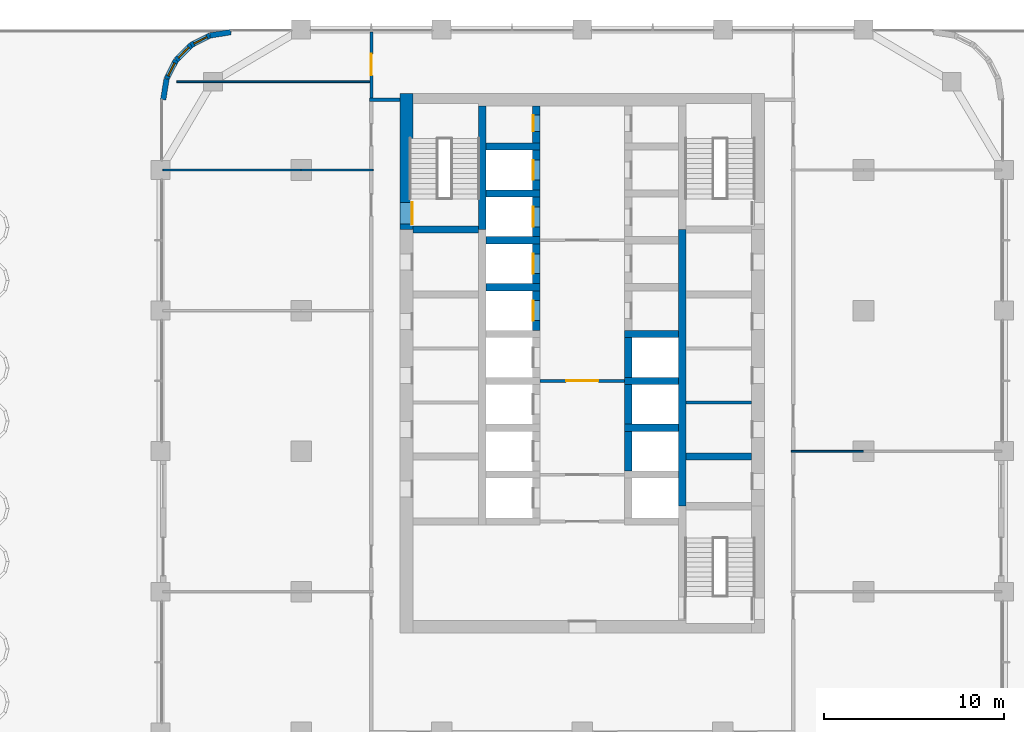
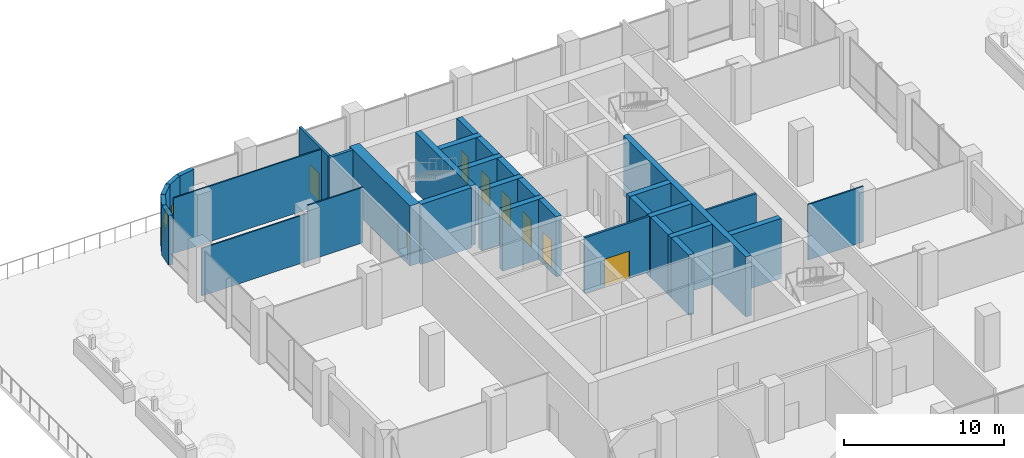
# One storey, part 14 of 31: 33 walls, 8 doors, 3 windows, 11 openings.
"""IFC4 building model written with IfcOpenShell, lengths in metres."""

from ifc_helpers import new_model, si_unit, direction, frame, frame_2d, origin, place, context, subcontext, project, spatial, rectangle, extrude, material, layer, layer_set, type_object, element, fill, save


model = new_model("IFC4")

# Units and contexts
model_context = context("Model", 3, precision=1e-05, world=origin(), true_north=direction((0.0, 1.0)))
body_context = subcontext(model_context, "Body", "Model", "MODEL_VIEW")
ifc_project = project(units=[si_unit("LENGTHUNIT", "METRE"), si_unit("AREAUNIT", "SQUARE_METRE"), si_unit("VOLUMEUNIT", "CUBIC_METRE"), si_unit("PLANEANGLEUNIT", "RADIAN"), si_unit("MASSUNIT", "GRAM", prefix="KILO")], contexts=[model_context])

# Site, building, storey
site_placement = place(None, origin())
site = spatial("IfcSite", under=ifc_project, at=site_placement, CompositionType="ELEMENT")
building_placement = place(site_placement, origin())
building = spatial("IfcBuilding", under=site, at=building_placement, Name="Ludao Terraces", CompositionType="ELEMENT")
storey_placement = place(building_placement, frame((0.0, 0.0, 15.0)))
storey = spatial("IfcBuildingStorey", under=building, at=storey_placement, Name="L03", CompositionType="ELEMENT", Elevation=15.0)

# Wall, opening, door
ifc_material_1 = material(Name="Concrete C70", Category="concrete")
ifc_layer_1 = layer(ifc_material_1, 0.699951171875)
ifc_layer_set_1 = layer_set([ifc_layer_1], Name="Core wall 700 C70")
wall_type_1 = type_object("IfcWallType", Name="Core wall 700 C70", PredefinedType="SOLIDWALL", material=ifc_layer_set_1)
wall_1_placement = place(storey_placement, frame((75.25, 77.300048828125, -0.35009765625), z_axis=(0.0, 0.0, 1.0), x_axis=(0.0, 1.0, 0.0)))
wall_1 = element("IfcWall", 1, at=wall_1_placement, inside=storey, type_object=wall_type_1, Name="Core wall L03 outer-W-S1", PredefinedType="SOLIDWALL", context=body_context, shape_type="SweptSolid", body=[
    extrude(rectangle(XDim=7.550048828125, YDim=0.699951171875, at=frame_2d((3.77490234375, 0.0))), origin(), (0.0, 0.0, 1.0), 4.60009765625),
])
opening_1_placement = place(wall_1_placement, frame((0.300048828125, 0.0, 0.35009765625)))
opening_1 = element("IfcOpeningElement", 2, at=opening_1_placement, cuts=wall_1, Name="Opening A1-036", PredefinedType="OPENING", context=body_context, shape_type="SweptSolid", body=[
    extrude(rectangle(XDim=1.199951171875, YDim=2.10009765625, at=frame_2d((0.60009765625, 1.050048828125))), frame((0.0, 0.35986328125, 0.0), z_axis=(0.0, -1.0, 0.0), x_axis=(1.0, 0.0, 0.0)), (0.0, 0.0, 1.0), 0.719970703125),
])
ifc_material_2 = material(Name="Steel Q235", Category="steel")
door_type_1 = type_object("IfcDoorType", Name="INT Stair door 1200", OperationType="DOUBLE_DOOR_SINGLE_SWING", PredefinedType="DOOR", material=ifc_material_2)
door_1_placement = place(opening_1_placement, origin())
door_1 = element("IfcDoor", 3, at=door_1_placement, inside=storey, type_object=door_type_1, Name="DOOR 036", OperationType="DOUBLE_DOOR_SINGLE_SWING", OverallHeight=2.10009765625, OverallWidth=1.199951171875, PredefinedType="DOOR", context=body_context, shape_type="SweptSolid", body=[
    extrude(rectangle(XDim=1.199951171875, YDim=2.10009765625, at=frame_2d((0.60009765625, 1.050048828125))), frame((0.0, -0.28515625, 0.0), z_axis=(0.0, -1.0, 0.0), x_axis=(1.0, 0.0, 0.0)), (0.0, 0.0, 1.0), 0.050048828125),
])
fill(opening_1, door_1)

# Wall
ifc_material_3 = material(Name="Granite cladding", Category="masonry")
ifc_layer_2 = layer(ifc_material_3, 0.0400390625, Category="stone")
ifc_material_4 = material(Name="Mineral wool")
ifc_layer_3 = layer(ifc_material_4, 0.06005859375)
ifc_material_5 = material(Name="Concrete C40", Category="concrete")
ifc_layer_4 = layer(ifc_material_5, 0.199951171875, Category="concrete")
ifc_layer_set_2 = layer_set([ifc_layer_2, ifc_layer_3, ifc_layer_4], Name="ENV Stone-clad wall 300")
wall_type_2 = type_object("IfcWallType", Name="ENV Stone-clad wall 300", PredefinedType="SOLIDWALL", material=ifc_layer_set_2)
wall_2_placement = place(storey_placement, frame((65.5, 88.25, 0.0), z_axis=(0.0, 0.0, 1.0), x_axis=(-0.987678452879, -0.156496880861, 0.0)))
element("IfcWall", 4, at=wall_2_placement, inside=storey, type_object=wall_type_2, Name="EW-L03-NW1", PredefinedType="SOLIDWALL", context=body_context, shape_type="SweptSolid", body=[
    extrude(rectangle(XDim=1.173095703125, YDim=0.300048828125, at=frame_2d((0.58642578125, 0.0))), origin(), (0.0, 0.0, 1.0), 3.800048828125),
])

# Wall, opening, window
wall_3_placement = place(storey_placement, frame((64.34130859375, 88.06640625, 0.0), z_axis=(0.0, 0.0, 1.0), x_axis=(-0.890988677504, -0.454025524128, 0.0)))
wall_3 = element("IfcWall", 5, at=wall_3_placement, inside=storey, type_object=wall_type_2, Name="EW-L03-NW2", PredefinedType="SOLIDWALL", context=body_context, shape_type="SweptSolid", body=[
    extrude(rectangle(XDim=1.17333984375, YDim=0.300048828125, at=frame_2d((0.586669921875, 0.0))), origin(), (0.0, 0.0, 1.0), 3.800048828125),
])
opening_2_placement = place(wall_3_placement, frame((0.1865234375, 0.0, 0.89990234375)))
opening_2 = element("IfcOpeningElement", 6, at=opening_2_placement, cuts=wall_3, Name="Opening W3", PredefinedType="OPENING", context=body_context, shape_type="SweptSolid", body=[
    extrude(rectangle(XDim=0.800048828125, YDim=1.199951171875, at=frame_2d((0.39990234375, 0.60009765625))), frame((0.0, 0.16015625, 0.0), z_axis=(0.0, -1.0, 0.0), x_axis=(1.0, 0.0, 0.0)), (0.0, 0.0, 1.0), 0.320068359375),
])
ifc_material_6 = material(Name="Clear glass in aluminium frame", Category="aluminium")
ifc_layer_5 = layer(ifc_material_6, 0.06005859375)
ifc_layer_set_3 = layer_set([ifc_layer_5], Name="ENV Window W3 800x1200")
window_type = type_object("IfcWindowType", Name="ENV Window W3 800x1200", PartitioningType="SINGLE_PANEL", PredefinedType="WINDOW", material=ifc_layer_set_3)
window_1_placement = place(opening_2_placement, origin())
window_1 = element("IfcWindow", 7, at=window_1_placement, inside=storey, type_object=window_type, Name="W-L03-NW2", OverallHeight=1.199951171875, OverallWidth=0.800048828125, PartitioningType="SINGLE_PANEL", PredefinedType="WINDOW", context=body_context, shape_type="SweptSolid", body=[
    extrude(rectangle(XDim=0.800048828125, YDim=1.199951171875, at=frame_2d((0.39990234375, 0.60009765625))), frame((0.0, 0.030029296875, 0.0), z_axis=(0.0, -1.0, 0.0), x_axis=(1.0, 0.0, 0.0)), (0.0, 0.0, 1.0), 0.06005859375),
])
fill(opening_2, window_1)

wall_4_placement = place(storey_placement, frame((63.2958984375, 87.53369140625, 0.0), z_axis=(0.0, 0.0, 1.0), x_axis=(-0.707106781187, -0.707106781187, 0.0)))
wall_4 = element("IfcWall", 8, at=wall_4_placement, inside=storey, type_object=wall_type_2, Name="EW-L03-NW3", PredefinedType="SOLIDWALL", context=body_context, shape_type="SweptSolid", body=[
    extrude(rectangle(XDim=1.173095703125, YDim=0.300048828125, at=frame_2d((0.58642578125, 0.0))), origin(), (0.0, 0.0, 1.0), 3.800048828125),
])
opening_3_placement = place(wall_4_placement, frame((0.1865234375, 0.0, 0.89990234375)))
opening_3 = element("IfcOpeningElement", 9, at=opening_3_placement, cuts=wall_4, Name="Opening W3", PredefinedType="OPENING", context=body_context, shape_type="SweptSolid", body=[
    extrude(rectangle(XDim=0.800048828125, YDim=1.199951171875, at=frame_2d((0.39990234375, 0.60009765625))), frame((0.0, 0.16015625, 0.0), z_axis=(0.0, -1.0, 0.0), x_axis=(1.0, 0.0, 0.0)), (0.0, 0.0, 1.0), 0.320068359375),
])
window_2_placement = place(opening_3_placement, origin())
window_2 = element("IfcWindow", 10, at=window_2_placement, inside=storey, type_object=window_type, Name="W-L03-NW3", OverallHeight=1.199951171875, OverallWidth=0.800048828125, PartitioningType="SINGLE_PANEL", PredefinedType="WINDOW", context=body_context, shape_type="SweptSolid", body=[
    extrude(rectangle(XDim=0.800048828125, YDim=1.199951171875, at=frame_2d((0.39990234375, 0.60009765625))), frame((0.0, 0.030029296875, 0.0), z_axis=(0.0, -1.0, 0.0), x_axis=(1.0, 0.0, 0.0)), (0.0, 0.0, 1.0), 0.06005859375),
])
fill(opening_3, window_2)

wall_5_placement = place(storey_placement, frame((62.46630859375, 86.7041015625, 0.0), z_axis=(0.0, 0.0, 1.0), x_axis=(-0.454025524128, -0.890988677504, 0.0)))
wall_5 = element("IfcWall", 11, at=wall_5_placement, inside=storey, type_object=wall_type_2, Name="EW-L03-NW4", PredefinedType="SOLIDWALL", context=body_context, shape_type="SweptSolid", body=[
    extrude(rectangle(XDim=1.17333984375, YDim=0.300048828125, at=frame_2d((0.586669921875, 0.0))), origin(), (0.0, 0.0, 1.0), 3.800048828125),
])
opening_4_placement = place(wall_5_placement, frame((0.1865234375, 0.0, 0.89990234375)))
opening_4 = element("IfcOpeningElement", 12, at=opening_4_placement, cuts=wall_5, Name="Opening W3", PredefinedType="OPENING", context=body_context, shape_type="SweptSolid", body=[
    extrude(rectangle(XDim=0.800048828125, YDim=1.199951171875, at=frame_2d((0.39990234375, 0.60009765625))), frame((0.0, 0.16015625, 0.0), z_axis=(0.0, -1.0, 0.0), x_axis=(1.0, 0.0, 0.0)), (0.0, 0.0, 1.0), 0.320068359375),
])
window_3_placement = place(opening_4_placement, origin())
window_3 = element("IfcWindow", 13, at=window_3_placement, inside=storey, type_object=window_type, Name="W-L03-NW4", OverallHeight=1.199951171875, OverallWidth=0.800048828125, PartitioningType="SINGLE_PANEL", PredefinedType="WINDOW", context=body_context, shape_type="SweptSolid", body=[
    extrude(rectangle(XDim=0.800048828125, YDim=1.199951171875, at=frame_2d((0.39990234375, 0.60009765625))), frame((0.0, 0.030029296875, 0.0), z_axis=(0.0, -1.0, 0.0), x_axis=(1.0, 0.0, 0.0)), (0.0, 0.0, 1.0), 0.06005859375),
])
fill(opening_4, window_3)

# Walls
wall_6_placement = place(storey_placement, frame((61.93359375, 85.65869140625, 0.0), z_axis=(0.0, 0.0, 1.0), x_axis=(-0.156496880861, -0.987678452879, 0.0)))
element("IfcWall", 14, at=wall_6_placement, inside=storey, type_object=wall_type_2, Name="EW-L03-NW5", PredefinedType="SOLIDWALL", context=body_context, shape_type="SweptSolid", body=[
    extrude(rectangle(XDim=1.173095703125, YDim=0.300048828125, at=frame_2d((0.58642578125, 0.0))), origin(), (0.0, 0.0, 1.0), 3.800048828125),
])
ifc_material_7 = material(Name="Fire-rated gypsum plasterboard", Category="gypsum")
ifc_layer_6 = layer(ifc_material_7, 0.012451171875, Category="gypsum")
ifc_layer_7 = layer(ifc_material_4, 0.10009765625, Name="insulation")
ifc_layer_8 = layer(ifc_material_2, 0.02490234375, Name="stud")
ifc_layer_9 = layer(ifc_material_7, 0.012451171875, Category="gypsum")
ifc_layer_set_4 = layer_set([ifc_layer_6, ifc_layer_7, ifc_layer_8, ifc_layer_9], Name="INT Core partition 150")
wall_type_3 = type_object("IfcWallType", Name="INT Core partition 150", PredefinedType="PARTITIONING", material=ifc_layer_set_4)
wall_7_placement = place(storey_placement, frame((90.75, 67.699951171875, 0.0), z_axis=(0.0, 0.0, 1.0), x_axis=(1.0, 0.0, 0.0)))
element("IfcWall", 15, at=wall_7_placement, inside=storey, type_object=wall_type_3, Name="PW-L03-PW007", PredefinedType="PARTITIONING", context=body_context, shape_type="SweptSolid", body=[
    extrude(rectangle(XDim=3.650146484375, YDim=0.14990234375, at=frame_2d((1.8251953125, 0.0))), origin(), (0.0, 0.0, 1.0), 4.25),
])

# Wall, opening, door
wall_8_placement = place(storey_placement, frame((82.650146484375, 68.89990234375, 0.0), z_axis=(0.0, 0.0, 1.0), x_axis=(1.0, 0.0, 0.0)))
wall_8 = element("IfcWall", 16, at=wall_8_placement, inside=storey, type_object=wall_type_3, Name="PW-L03-PW008", PredefinedType="PARTITIONING", context=body_context, shape_type="SweptSolid", body=[
    extrude(rectangle(XDim=4.699951171875, YDim=0.14990234375, at=frame_2d((2.35009765625, 0.0))), origin(), (0.0, 0.0, 1.0), 4.25),
])
opening_5_placement = place(wall_8_placement, frame((1.449951171875, 0.0, 0.0)))
opening_5 = element("IfcOpeningElement", 17, at=opening_5_placement, cuts=wall_8, Name="Opening A1-021", PredefinedType="OPENING", context=body_context, shape_type="SweptSolid", body=[
    extrude(rectangle(XDim=1.800048828125, YDim=2.10009765625, at=frame_2d((0.89990234375, 1.050048828125))), frame((0.0, 0.0849609375, 0.0), z_axis=(0.0, -1.0, 0.0), x_axis=(1.0, 0.0, 0.0)), (0.0, 0.0, 1.0), 0.169921875),
])
door_type_2 = type_object("IfcDoorType", Name="INT Fire lobby door 1800", OperationType="DOUBLE_DOOR_SINGLE_SWING", PredefinedType="DOOR", material=ifc_material_2)
door_2_placement = place(opening_5_placement, origin())
door_2 = element("IfcDoor", 18, at=door_2_placement, inside=storey, type_object=door_type_2, Name="DOOR 021", OperationType="DOUBLE_DOOR_SINGLE_SWING", OverallHeight=2.10009765625, OverallWidth=1.800048828125, PredefinedType="DOOR", context=body_context, shape_type="SweptSolid", body=[
    extrude(rectangle(XDim=1.800048828125, YDim=2.10009765625, at=frame_2d((0.89990234375, 1.050048828125))), frame((0.0, 0.02490234375, 0.0), z_axis=(0.0, -1.0, 0.0), x_axis=(1.0, 0.0, 0.0)), (0.0, 0.0, 1.0), 0.050048828125),
])
fill(opening_5, door_2)

# Walls
ifc_material_8 = material(Name="Autoclaved aerated concrete block B06 A3.5", Category="concrete")
ifc_layer_10 = layer(ifc_material_8, 0.199951171875)
ifc_layer_set_5 = layer_set([ifc_layer_10], Name="INT Entrance wall 200")
wall_type_4 = type_object("IfcWallType", Name="INT Entrance wall 200", PredefinedType="PARTITIONING", material=ifc_layer_set_5)
wall_9_placement = place(storey_placement, frame((73.2001953125, 84.5, 0.0), z_axis=(0.0, 0.0, 1.0), x_axis=(1.0, 0.0, 0.0)))
element("IfcWall", 19, at=wall_9_placement, inside=storey, type_object=wall_type_4, Name="PW-L03-PW015", PredefinedType="PARTITIONING", context=body_context, shape_type="SweptSolid", body=[
    extrude(rectangle(XDim=1.699951171875, YDim=0.199951171875, at=frame_2d((0.85009765625, 0.0))), origin(), (0.0, 0.0, 1.0), 4.25),
])
ifc_material_9 = material(Name="Gypsum plasterboard", Category="gypsum")
ifc_layer_11 = layer(ifc_material_9, 0.012451171875, Category="gypsum")
ifc_layer_12 = layer(ifc_material_4, 0.06005859375, Name="insulation")
ifc_layer_13 = layer(ifc_material_2, 0.014892578125, Name="stud")
ifc_layer_14 = layer(ifc_material_9, 0.012451171875, Category="gypsum")
ifc_layer_set_6 = layer_set([ifc_layer_11, ifc_layer_12, ifc_layer_13, ifc_layer_14], Name="INT Partition 100")
wall_type_5 = type_object("IfcWallType", Name="INT Partition 100", PredefinedType="PARTITIONING", material=ifc_layer_set_6)
wall_10_placement = place(storey_placement, frame((96.60009765625, 65.0, 0.0), z_axis=(0.0, 0.0, 1.0), x_axis=(1.0, 0.0, 0.0)))
element("IfcWall", 20, at=wall_10_placement, inside=storey, type_object=wall_type_5, Name="PW-L03-PW005", PredefinedType="PARTITIONING", context=body_context, shape_type="SweptSolid", body=[
    extrude(rectangle(XDim=4.0, YDim=0.10009765625, at=frame_2d((2.0, 0.0))), origin(), (0.0, 0.0, 1.0), 4.25),
])
wall_11_placement = place(storey_placement, frame((61.735107421875, 80.60009765625, 0.0), z_axis=(0.0, 0.0, 1.0), x_axis=(1.0, 0.0, 0.0)))
element("IfcWall", 21, at=wall_11_placement, inside=storey, type_object=wall_type_5, Name="PW-L03-PW013", PredefinedType="PARTITIONING", context=body_context, shape_type="SweptSolid", body=[
    extrude(rectangle(XDim=7.664794921875, YDim=0.10009765625, at=frame_2d((3.83251953125, 0.0))), origin(), (0.0, 0.0, 1.0), 3.64990234375),
])
wall_12_placement = place(storey_placement, frame((69.39990234375, 80.60009765625, 0.0), z_axis=(0.0, 0.0, 1.0), x_axis=(1.0, 0.0, 0.0)))
element("IfcWall", 22, at=wall_12_placement, inside=storey, type_object=wall_type_5, Name="PW-L03-PW013-2", PredefinedType="PARTITIONING", context=body_context, shape_type="SweptSolid", body=[
    extrude(rectangle(XDim=4.000244140625, YDim=0.10009765625, at=frame_2d((2.0, 0.0))), origin(), (0.0, 0.0, 1.0), 4.25),
])
wall_13_placement = place(storey_placement, frame((62.510009765625, 85.5, 0.0), z_axis=(0.0, 0.0, 1.0), x_axis=(1.0, 0.0, 0.0)))
element("IfcWall", 23, at=wall_13_placement, inside=storey, type_object=wall_type_5, Name="PW-L03-PW017", PredefinedType="PARTITIONING", context=body_context, shape_type="SweptSolid", body=[
    extrude(rectangle(XDim=10.864990234375, YDim=0.10009765625, at=frame_2d((5.4326171875, 0.0))), origin(), (0.0, 0.0, 1.0), 4.25),
])

# Wall, opening, door
ifc_layer_15 = layer(ifc_material_8, 0.14990234375)
ifc_layer_set_7 = layer_set([ifc_layer_15], Name="INT Party wall 150")
wall_type_6 = type_object("IfcWallType", Name="INT Party wall 150", PredefinedType="PARTITIONING", material=ifc_layer_set_7)
wall_14_placement = place(storey_placement, frame((73.300048828125, 84.60009765625, 0.0), z_axis=(0.0, 0.0, 1.0), x_axis=(0.0, 1.0, 0.0)))
wall_14 = element("IfcWall", 24, at=wall_14_placement, inside=storey, type_object=wall_type_6, Name="PW-L03-PW020", PredefinedType="PARTITIONING", context=body_context, shape_type="SweptSolid", body=[
    extrude(rectangle(XDim=3.664794921875, YDim=0.14990234375, at=frame_2d((1.83251953125, 0.0))), origin(), (0.0, 0.0, 1.0), 4.25),
])
opening_6_placement = place(wall_14_placement, frame((1.25, 0.0, 0.0)))
opening_6 = element("IfcOpeningElement", 25, at=opening_6_placement, cuts=wall_14, Name="Opening A1-045", PredefinedType="OPENING", context=body_context, shape_type="SweptSolid", body=[
    extrude(rectangle(XDim=1.199951171875, YDim=2.10009765625, at=frame_2d((0.60009765625, 1.050048828125))), frame((0.0, 0.0849609375, 0.0), z_axis=(0.0, -1.0, 0.0), x_axis=(1.0, 0.0, 0.0)), (0.0, 0.0, 1.0), 0.169921875),
])
ifc_material_10 = material(Name="Timber door leaf", Category="wood")
door_type_3 = type_object("IfcDoorType", Name="INT Double door 1200", OperationType="DOUBLE_DOOR_SINGLE_SWING", PredefinedType="DOOR", material=ifc_material_10)
door_3_placement = place(opening_6_placement, origin())
door_3 = element("IfcDoor", 26, at=door_3_placement, inside=storey, type_object=door_type_3, Name="DOOR 045", OperationType="DOUBLE_DOOR_SINGLE_SWING", OverallHeight=2.10009765625, OverallWidth=1.199951171875, PredefinedType="DOOR", context=body_context, shape_type="SweptSolid", body=[
    extrude(rectangle(XDim=1.199951171875, YDim=2.10009765625, at=frame_2d((0.60009765625, 1.050048828125))), frame((0.0, 0.02490234375, 0.0), z_axis=(0.0, -1.0, 0.0), x_axis=(1.0, 0.0, 0.0)), (0.0, 0.0, 1.0), 0.050048828125),
])
fill(opening_6, door_3)

# Walls
ifc_material_11 = material(Name="Concrete C60", Category="concrete")
ifc_layer_16 = layer(ifc_material_11, 0.39990234375)
ifc_layer_set_8 = layer_set([ifc_layer_16], Name="Shaft wall 400 C60")
wall_type_7 = type_object("IfcWallType", Name="Shaft wall 400 C60", PredefinedType="SOLIDWALL", material=ifc_layer_set_8)
wall_15_placement = place(storey_placement, frame((79.449951171875, 77.300048828125, -0.35009765625), z_axis=(0.0, 0.0, 1.0), x_axis=(0.0, 1.0, 0.0)))
element("IfcWall", 27, at=wall_15_placement, inside=storey, type_object=wall_type_7, Name="Core wall L03 back-W-S1", PredefinedType="SOLIDWALL", context=body_context, shape_type="SweptSolid", body=[
    extrude(rectangle(XDim=6.849853515625, YDim=0.39990234375, at=frame_2d((3.4248046875, 0.0))), origin(), (0.0, 0.0, 1.0), 4.60009765625),
])
wall_16_placement = place(storey_placement, frame((90.550048828125, 61.949951171875, -0.35009765625), z_axis=(0.0, 0.0, 1.0), x_axis=(0.0, 1.0, 0.0)))
element("IfcWall", 28, at=wall_16_placement, inside=storey, type_object=wall_type_7, Name="Core wall L03 back-E", PredefinedType="SOLIDWALL", context=body_context, shape_type="SweptSolid", body=[
    extrude(rectangle(XDim=15.35009765625, YDim=0.39990234375, at=frame_2d((7.675048828125, 0.0))), origin(), (0.0, 0.0, 1.0), 4.60009765625),
])

# Wall, opening, door
wall_17_placement = place(storey_placement, frame((82.449951171875, 71.699951171875, -0.35009765625), z_axis=(0.0, 0.0, 1.0), x_axis=(0.0, 1.0, 0.0)))
wall_17 = element("IfcWall", 29, at=wall_17_placement, inside=storey, type_object=wall_type_7, Name="Core wall L03 front-W5", PredefinedType="SOLIDWALL", context=body_context, shape_type="SweptSolid", body=[
    extrude(rectangle(XDim=2.199951171875, YDim=0.39990234375, at=frame_2d((1.10009765625, 0.0))), origin(), (0.0, 0.0, 1.0), 4.60009765625),
])
opening_7_placement = place(wall_17_placement, frame((0.550048828125, 0.0, 0.35009765625)))
opening_7 = element("IfcOpeningElement", 30, at=opening_7_placement, cuts=wall_17, Name="Opening LD-LA5", PredefinedType="OPENING", context=body_context, shape_type="SweptSolid", body=[
    extrude(rectangle(XDim=1.10009765625, YDim=2.10009765625, at=frame_2d((0.550048828125, 1.050048828125))), frame((0.0, 0.2099609375, 0.0), z_axis=(0.0, -1.0, 0.0), x_axis=(1.0, 0.0, 0.0)), (0.0, 0.0, 1.0), 0.419921875),
])
ifc_material_12 = material(Name="Stainless steel 304", Category="steel")
door_type_4 = type_object("IfcDoorType", Name="INT Lift landing door 1100", OperationType="SLIDING_TO_LEFT", PredefinedType="DOOR", material=ifc_material_12)
door_4_placement = place(opening_7_placement, origin())
door_4 = element("IfcDoor", 31, at=door_4_placement, inside=storey, type_object=door_type_4, Name="LANDING DOOR LA5 L03", OperationType="SLIDING_TO_LEFT", OverallHeight=2.10009765625, OverallWidth=1.10009765625, PredefinedType="DOOR", context=body_context, shape_type="SweptSolid", body=[
    extrude(rectangle(XDim=1.10009765625, YDim=2.10009765625, at=frame_2d((0.550048828125, 1.050048828125))), frame((0.0, 0.18505859375, 0.0), z_axis=(0.0, -1.0, 0.0), x_axis=(1.0, 0.0, 0.0)), (0.0, 0.0, 1.0), 0.050048828125),
])
fill(opening_7, door_4)

# Wall
wall_18_placement = place(storey_placement, frame((79.64990234375, 74.10009765625, -0.35009765625), z_axis=(0.0, 0.0, 1.0), x_axis=(1.0, 0.0, 0.0)))
element("IfcWall", 32, at=wall_18_placement, inside=storey, type_object=wall_type_7, Name="Core wall L03 div-W6", PredefinedType="SOLIDWALL", context=body_context, shape_type="SweptSolid", body=[
    extrude(rectangle(XDim=3.0, YDim=0.39990234375, at=frame_2d((1.5, 0.0))), origin(), (0.0, 0.0, 1.0), 4.60009765625),
])

# Wall, opening, door
wall_19_placement = place(storey_placement, frame((82.449951171875, 74.300048828125, -0.35009765625), z_axis=(0.0, 0.0, 1.0), x_axis=(0.0, 1.0, 0.0)))
wall_19 = element("IfcWall", 33, at=wall_19_placement, inside=storey, type_object=wall_type_7, Name="Core wall L03 front-W6", PredefinedType="SOLIDWALL", context=body_context, shape_type="SweptSolid", body=[
    extrude(rectangle(XDim=2.199951171875, YDim=0.39990234375, at=frame_2d((1.10009765625, 0.0))), origin(), (0.0, 0.0, 1.0), 4.60009765625),
])
opening_8_placement = place(wall_19_placement, frame((0.550048828125, 0.0, 0.35009765625)))
opening_8 = element("IfcOpeningElement", 34, at=opening_8_placement, cuts=wall_19, Name="Opening LD-LA6", PredefinedType="OPENING", context=body_context, shape_type="SweptSolid", body=[
    extrude(rectangle(XDim=1.10009765625, YDim=2.10009765625, at=frame_2d((0.550048828125, 1.050048828125))), frame((0.0, 0.2099609375, 0.0), z_axis=(0.0, -1.0, 0.0), x_axis=(1.0, 0.0, 0.0)), (0.0, 0.0, 1.0), 0.419921875),
])
door_5_placement = place(opening_8_placement, origin())
door_5 = element("IfcDoor", 35, at=door_5_placement, inside=storey, type_object=door_type_4, Name="LANDING DOOR LA6 L03", OperationType="SLIDING_TO_LEFT", OverallHeight=2.10009765625, OverallWidth=1.10009765625, PredefinedType="DOOR", context=body_context, shape_type="SweptSolid", body=[
    extrude(rectangle(XDim=1.10009765625, YDim=2.10009765625, at=frame_2d((0.550048828125, 1.050048828125))), frame((0.0, 0.18505859375, 0.0), z_axis=(0.0, -1.0, 0.0), x_axis=(1.0, 0.0, 0.0)), (0.0, 0.0, 1.0), 0.050048828125),
])
fill(opening_8, door_5)

# Wall
wall_20_placement = place(storey_placement, frame((79.64990234375, 76.699951171875, -0.35009765625), z_axis=(0.0, 0.0, 1.0), x_axis=(1.0, 0.0, 0.0)))
element("IfcWall", 36, at=wall_20_placement, inside=storey, type_object=wall_type_7, Name="Core wall L03 div-W7", PredefinedType="SOLIDWALL", context=body_context, shape_type="SweptSolid", body=[
    extrude(rectangle(XDim=3.0, YDim=0.39990234375, at=frame_2d((1.5, 0.0))), origin(), (0.0, 0.0, 1.0), 4.60009765625),
])

# Wall, opening, door
wall_21_placement = place(storey_placement, frame((82.449951171875, 76.89990234375, -0.35009765625), z_axis=(0.0, 0.0, 1.0), x_axis=(0.0, 1.0, 0.0)))
wall_21 = element("IfcWall", 37, at=wall_21_placement, inside=storey, type_object=wall_type_7, Name="Core wall L03 front-W7", PredefinedType="SOLIDWALL", context=body_context, shape_type="SweptSolid", body=[
    extrude(rectangle(XDim=2.2001953125, YDim=0.39990234375, at=frame_2d((1.10009765625, 0.0))), origin(), (0.0, 0.0, 1.0), 4.60009765625),
])
opening_9_placement = place(wall_21_placement, frame((0.550048828125, 0.0, 0.35009765625)))
opening_9 = element("IfcOpeningElement", 38, at=opening_9_placement, cuts=wall_21, Name="Opening LD-FF1", PredefinedType="OPENING", context=body_context, shape_type="SweptSolid", body=[
    extrude(rectangle(XDim=1.10009765625, YDim=2.10009765625, at=frame_2d((0.550048828125, 1.050048828125))), frame((0.0, 0.2099609375, 0.0), z_axis=(0.0, -1.0, 0.0), x_axis=(1.0, 0.0, 0.0)), (0.0, 0.0, 1.0), 0.419921875),
])
door_6_placement = place(opening_9_placement, origin())
door_6 = element("IfcDoor", 39, at=door_6_placement, inside=storey, type_object=door_type_4, Name="LANDING DOOR FF1 L03", OperationType="SLIDING_TO_LEFT", OverallHeight=2.10009765625, OverallWidth=1.10009765625, PredefinedType="DOOR", context=body_context, shape_type="SweptSolid", body=[
    extrude(rectangle(XDim=1.10009765625, YDim=2.10009765625, at=frame_2d((0.550048828125, 1.050048828125))), frame((0.0, 0.18505859375, 0.0), z_axis=(0.0, -1.0, 0.0), x_axis=(1.0, 0.0, 0.0)), (0.0, 0.0, 1.0), 0.050048828125),
])
fill(opening_9, door_6)

# Wall
wall_22_placement = place(storey_placement, frame((79.64990234375, 79.300048828125, -0.35009765625), z_axis=(0.0, 0.0, 1.0), x_axis=(1.0, 0.0, 0.0)))
element("IfcWall", 40, at=wall_22_placement, inside=storey, type_object=wall_type_7, Name="Core wall L03 div-W8", PredefinedType="SOLIDWALL", context=body_context, shape_type="SweptSolid", body=[
    extrude(rectangle(XDim=3.0, YDim=0.39990234375, at=frame_2d((1.5, 0.0))), origin(), (0.0, 0.0, 1.0), 4.60009765625),
])

# Wall, opening, door
wall_23_placement = place(storey_placement, frame((82.449951171875, 79.5, -0.35009765625), z_axis=(0.0, 0.0, 1.0), x_axis=(0.0, 1.0, 0.0)))
wall_23 = element("IfcWall", 41, at=wall_23_placement, inside=storey, type_object=wall_type_7, Name="Core wall L03 front-W8", PredefinedType="SOLIDWALL", context=body_context, shape_type="SweptSolid", body=[
    extrude(rectangle(XDim=2.199951171875, YDim=0.39990234375, at=frame_2d((1.10009765625, 0.0))), origin(), (0.0, 0.0, 1.0), 4.60009765625),
])
opening_10_placement = place(wall_23_placement, frame((0.550048828125, 0.0, 0.35009765625)))
opening_10 = element("IfcOpeningElement", 42, at=opening_10_placement, cuts=wall_23, Name="Opening LD-FF2", PredefinedType="OPENING", context=body_context, shape_type="SweptSolid", body=[
    extrude(rectangle(XDim=1.10009765625, YDim=2.10009765625, at=frame_2d((0.550048828125, 1.050048828125))), frame((0.0, 0.2099609375, 0.0), z_axis=(0.0, -1.0, 0.0), x_axis=(1.0, 0.0, 0.0)), (0.0, 0.0, 1.0), 0.419921875),
])
door_7_placement = place(opening_10_placement, origin())
door_7 = element("IfcDoor", 43, at=door_7_placement, inside=storey, type_object=door_type_4, Name="LANDING DOOR FF2 L03", OperationType="SLIDING_TO_LEFT", OverallHeight=2.10009765625, OverallWidth=1.10009765625, PredefinedType="DOOR", context=body_context, shape_type="SweptSolid", body=[
    extrude(rectangle(XDim=1.10009765625, YDim=2.10009765625, at=frame_2d((0.550048828125, 1.050048828125))), frame((0.0, 0.18505859375, 0.0), z_axis=(0.0, -1.0, 0.0), x_axis=(1.0, 0.0, 0.0)), (0.0, 0.0, 1.0), 0.050048828125),
])
fill(opening_10, door_7)

# Wall
wall_24_placement = place(storey_placement, frame((79.64990234375, 81.89990234375, -0.35009765625), z_axis=(0.0, 0.0, 1.0), x_axis=(1.0, 0.0, 0.0)))
element("IfcWall", 44, at=wall_24_placement, inside=storey, type_object=wall_type_7, Name="Core wall L03 div-W9", PredefinedType="SOLIDWALL", context=body_context, shape_type="SweptSolid", body=[
    extrude(rectangle(XDim=3.0, YDim=0.39990234375, at=frame_2d((1.5, 0.0))), origin(), (0.0, 0.0, 1.0), 4.60009765625),
])

# Wall, opening, door
wall_25_placement = place(storey_placement, frame((82.449951171875, 82.10009765625, -0.35009765625), z_axis=(0.0, 0.0, 1.0), x_axis=(0.0, 1.0, 0.0)))
wall_25 = element("IfcWall", 45, at=wall_25_placement, inside=storey, type_object=wall_type_7, Name="Core wall L03 front-W9", PredefinedType="SOLIDWALL", context=body_context, shape_type="SweptSolid", body=[
    extrude(rectangle(XDim=2.0498046875, YDim=0.39990234375, at=frame_2d((1.02490234375, 0.0))), origin(), (0.0, 0.0, 1.0), 4.60009765625),
])
opening_11_placement = place(wall_25_placement, frame((0.64990234375, 0.0, 0.35009765625)))
opening_11 = element("IfcOpeningElement", 46, at=opening_11_placement, cuts=wall_25, Name="Opening A1-043", PredefinedType="OPENING", context=body_context, shape_type="SweptSolid", body=[
    extrude(rectangle(XDim=0.89990234375, YDim=2.10009765625, at=frame_2d((0.449951171875, 1.050048828125))), frame((0.0, 0.2099609375, 0.0), z_axis=(0.0, -1.0, 0.0), x_axis=(1.0, 0.0, 0.0)), (0.0, 0.0, 1.0), 0.419921875),
])
door_type_5 = type_object("IfcDoorType", Name="INT Room door 900", OperationType="SINGLE_SWING_LEFT", PredefinedType="DOOR", material=ifc_material_10)
door_8_placement = place(opening_11_placement, origin())
door_8 = element("IfcDoor", 47, at=door_8_placement, inside=storey, type_object=door_type_5, Name="DOOR 043", OperationType="SINGLE_SWING_RIGHT", OverallHeight=2.10009765625, OverallWidth=0.89990234375, PredefinedType="DOOR", context=body_context, shape_type="SweptSolid", body=[
    extrude(rectangle(XDim=0.89990234375, YDim=2.10009765625, at=frame_2d((0.449951171875, 1.050048828125))), frame((0.0, 0.18505859375, 0.0), z_axis=(0.0, -1.0, 0.0), x_axis=(1.0, 0.0, 0.0)), (0.0, 0.0, 1.0), 0.050048828125),
])
fill(opening_11, door_8)

# Walls
wall_26_placement = place(storey_placement, frame((87.550048828125, 63.89990234375, -0.35009765625), z_axis=(0.0, 0.0, 1.0), x_axis=(0.0, 1.0, 0.0)))
element("IfcWall", 48, at=wall_26_placement, inside=storey, type_object=wall_type_7, Name="Core wall L03 front-E2", PredefinedType="SOLIDWALL", context=body_context, shape_type="SweptSolid", body=[
    extrude(rectangle(XDim=2.2001953125, YDim=0.39990234375, at=frame_2d((1.10009765625, 0.0))), origin(), (0.0, 0.0, 1.0), 4.60009765625),
])
wall_27_placement = place(storey_placement, frame((87.35009765625, 66.300048828125, -0.35009765625), z_axis=(0.0, 0.0, 1.0), x_axis=(1.0, 0.0, 0.0)))
element("IfcWall", 49, at=wall_27_placement, inside=storey, type_object=wall_type_7, Name="Core wall L03 div-E3", PredefinedType="SOLIDWALL", context=body_context, shape_type="SweptSolid", body=[
    extrude(rectangle(XDim=3.0, YDim=0.39990234375, at=frame_2d((1.5, 0.0))), origin(), (0.0, 0.0, 1.0), 4.60009765625),
])
wall_28_placement = place(storey_placement, frame((87.550048828125, 66.5, -0.35009765625), z_axis=(0.0, 0.0, 1.0), x_axis=(0.0, 1.0, 0.0)))
element("IfcWall", 50, at=wall_28_placement, inside=storey, type_object=wall_type_7, Name="Core wall L03 front-E3", PredefinedType="SOLIDWALL", context=body_context, shape_type="SweptSolid", body=[
    extrude(rectangle(XDim=2.199951171875, YDim=0.39990234375, at=frame_2d((1.10009765625, 0.0))), origin(), (0.0, 0.0, 1.0), 4.60009765625),
])
wall_29_placement = place(storey_placement, frame((87.35009765625, 68.89990234375, -0.35009765625), z_axis=(0.0, 0.0, 1.0), x_axis=(1.0, 0.0, 0.0)))
element("IfcWall", 51, at=wall_29_placement, inside=storey, type_object=wall_type_7, Name="Core wall L03 div-E4", PredefinedType="SOLIDWALL", context=body_context, shape_type="SweptSolid", body=[
    extrude(rectangle(XDim=3.0, YDim=0.39990234375, at=frame_2d((1.5, 0.0))), origin(), (0.0, 0.0, 1.0), 4.60009765625),
])
wall_30_placement = place(storey_placement, frame((87.550048828125, 69.10009765625, -0.35009765625), z_axis=(0.0, 0.0, 1.0), x_axis=(0.0, 1.0, 0.0)))
element("IfcWall", 52, at=wall_30_placement, inside=storey, type_object=wall_type_7, Name="Core wall L03 front-E4", PredefinedType="SOLIDWALL", context=body_context, shape_type="SweptSolid", body=[
    extrude(rectangle(XDim=2.199951171875, YDim=0.39990234375, at=frame_2d((1.10009765625, 0.0))), origin(), (0.0, 0.0, 1.0), 4.60009765625),
])
wall_31_placement = place(storey_placement, frame((87.35009765625, 71.5, -0.35009765625), z_axis=(0.0, 0.0, 1.0), x_axis=(1.0, 0.0, 0.0)))
element("IfcWall", 53, at=wall_31_placement, inside=storey, type_object=wall_type_7, Name="Core wall L03 div-E5", PredefinedType="SOLIDWALL", context=body_context, shape_type="SweptSolid", body=[
    extrude(rectangle(XDim=3.0, YDim=0.39990234375, at=frame_2d((1.5, 0.0))), origin(), (0.0, 0.0, 1.0), 4.60009765625),
])
for number, where, z_axis, x_axis, name in (
    (54, (75.60009765625, 77.300048828125, -0.35009765625), (0.0, 0.0, 1.0), (1.0, 0.0, 0.0), "Core wall L03 stair-W"),
    (55, (90.75, 64.699951171875, -0.35009765625), (0.0, 0.0, 1.0), (1.0, 0.0, 0.0), "Core wall L03 riser-a-E"),
):
    element("IfcWall", number, at=place(storey_placement, frame(where, z_axis=z_axis, x_axis=x_axis)), inside=storey, type_object=wall_type_7, Name=name, PredefinedType="SOLIDWALL", context=body_context, shape_type="SweptSolid", body=[
        extrude(rectangle(XDim=3.64990234375, YDim=0.39990234375, at=frame_2d((1.824951171875, 0.0))), origin(), (0.0, 0.0, 1.0), 4.60009765625),
    ])

save(model, "model.ifc")
